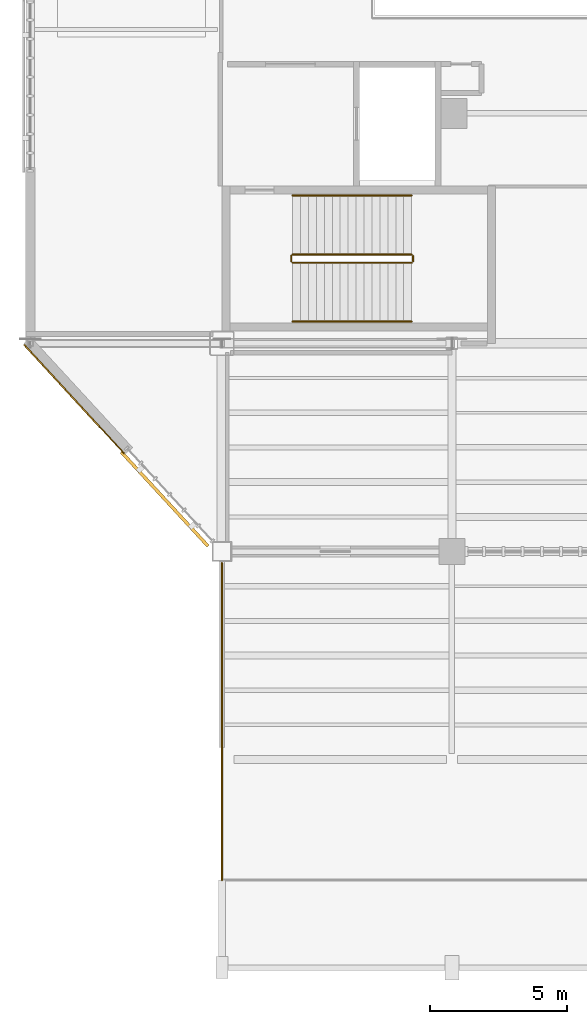
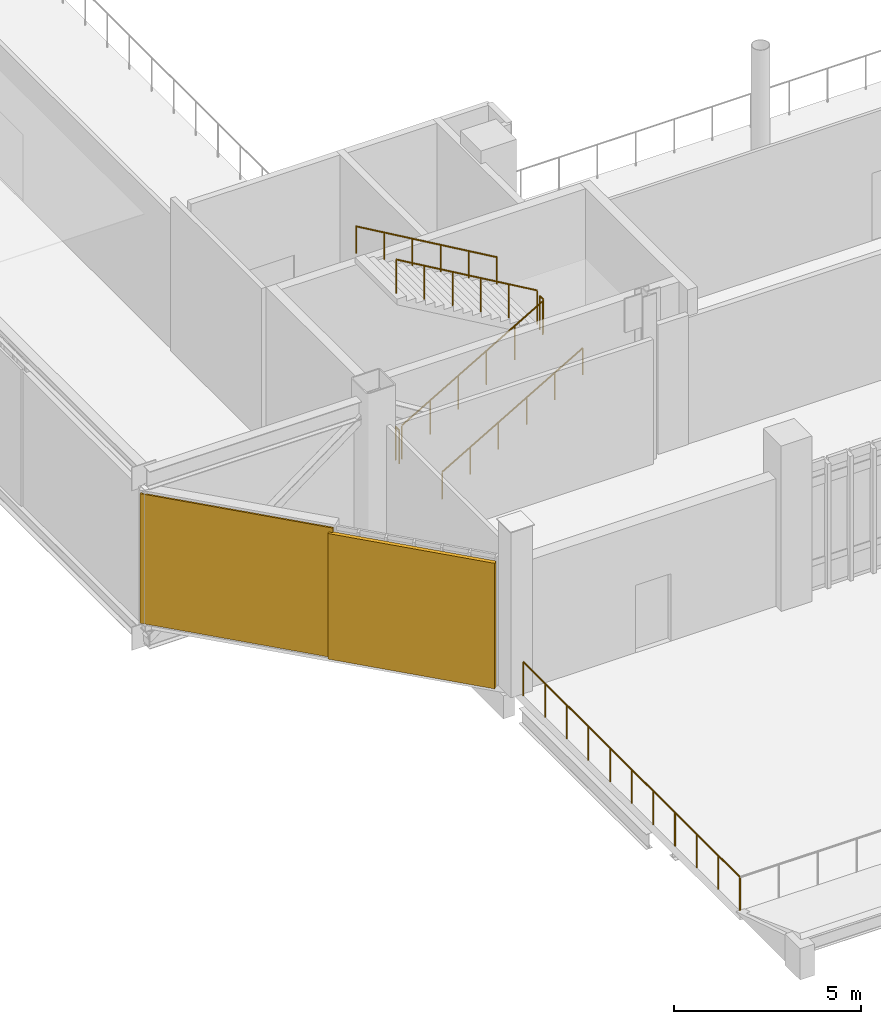
# One storey, part 117 of 127: 7 railings, 1 covering, 1 shading device.
"""IFC4 building model written with IfcOpenShell, lengths in metres."""

from ifc_helpers import new_model, si_unit, direction, frame, origin, origin_2d, place, context, subcontext, project, spatial, rectangle, circle, extrude, material, layer, layer_set, type_object, element, save


model = new_model("IFC4")

# Units and contexts
model_context = context("Model", 3, precision=1e-05, world=origin(), true_north=direction((0.0, 1.0)))
body_context = subcontext(model_context, "Body", "Model", "MODEL_VIEW")
ifc_project = project(units=[si_unit("LENGTHUNIT", "METRE"), si_unit("AREAUNIT", "SQUARE_METRE"), si_unit("VOLUMEUNIT", "CUBIC_METRE"), si_unit("PLANEANGLEUNIT", "RADIAN"), si_unit("MASSUNIT", "GRAM", prefix="KILO")], contexts=[model_context])

# Site, building, storey
site_placement = place(None, origin())
site = spatial("IfcSite", under=ifc_project, at=site_placement, CompositionType="ELEMENT")
building_placement = place(site_placement, origin())
building = spatial("IfcBuilding", under=site, at=building_placement, Name="Larkvane Passage Sports Hall", CompositionType="ELEMENT")
storey_placement = place(building_placement, frame((0.0, 0.0, 5.39990234375)))
storey = spatial("IfcBuildingStorey", under=building, at=storey_placement, Name="L01", CompositionType="ELEMENT", Elevation=5.39990234375)

# Covering
ifc_material_1 = material(Name="Perforated anodised aluminium 5052-H32", Category="aluminium")
ifc_layer_1 = layer(ifc_material_1, 0.050048828125)
ifc_layer_set_1 = layer_set([ifc_layer_1], Name="Perforated anodised aluminium 5052-H32")
covering_type = type_object("IfcCoveringType", Name="COV-MESH-VEIL", PredefinedType="CLADDING", material=ifc_layer_set_1)
covering_placement = place(storey_placement, frame((29.40478515625, 20.76611328125, 0.0751953125), z_axis=(0.0, 0.0, 1.0), x_axis=(-0.677475754753, 0.735545105158, 0.0)))
element("IfcCovering", 1, at=covering_placement, inside=storey, type_object=covering_type, Name="Perforated cladding cassette L01-064", PredefinedType="CLADDING", context=body_context, shape_type="SweptSolid", body=[
    extrude(rectangle(XDim=5.3974609375, YDim=0.050048828125, at=origin_2d()), origin(), (0.0, 0.0, 1.0), 4.22998046875),
])

# Railings
ifc_material_2 = material(Name="Steel S355JR", Category="steel")
railing_type_1 = type_object("IfcRailingType", Name="RL-GUARD-1120", PredefinedType="GUARDRAIL", material=ifc_material_2)
railing_1_placement = place(storey_placement, frame((37.3798828125, 25.75, 0.1689453125)))
element("IfcRailing", 2, at=railing_1_placement, inside=storey, type_object=railing_type_1, Name="L01 ST-01 stair guard 1", PredefinedType="GUARDRAIL", context=body_context, shape_type="SweptSolid", body=[
    extrude(circle(Radius=0.02392578125, at=origin_2d()), frame((0.001708984375, 0.0, 1.09716796875), z_axis=(0.864323800911, 0.0, 0.50293574856), x_axis=(0.0, 1.0, 0.0)), (0.0, 0.0, 1.0), 5.029052734375),
    extrude(circle(Radius=0.02099609375, at=origin_2d()), origin(), (0.0, 0.0, 1.0), 1.072021484375),
    extrude(circle(Radius=0.02099609375, at=origin_2d()), frame((0.8701171875, 0.0, 0.50634765625)), (0.0, 0.0, 1.0), 1.072021484375),
    extrude(circle(Radius=0.02099609375, at=origin_2d()), frame((1.739990234375, 0.0, 1.012451171875)), (0.0, 0.0, 1.0), 1.072021484375),
    extrude(circle(Radius=0.02099609375, at=origin_2d()), frame((2.610107421875, 0.0, 1.518798828125)), (0.0, 0.0, 1.0), 1.072021484375),
    extrude(circle(Radius=0.02099609375, at=origin_2d()), frame((3.47998046875, 0.0, 2.02490234375)), (0.0, 0.0, 1.0), 1.072021484375),
    extrude(circle(Radius=0.02099609375, at=origin_2d()), frame((4.35009765625, 0.0, 2.53125)), (0.0, 0.0, 1.0), 1.072021484375),
])
railing_2_placement = place(storey_placement, frame((41.780029296875, 25.800048828125, 2.7001953125)))
element("IfcRailing", 3, at=railing_2_placement, inside=storey, type_object=railing_type_1, Name="L01 ST-01 stair guard 2", PredefinedType="GUARDRAIL", context=body_context, shape_type="SweptSolid", body=[
    extrude(circle(Radius=0.02392578125, at=origin_2d()), frame((0.0, 0.001953125, 1.09619140625), z_axis=(0.0, 1.0, 0.0), x_axis=(-1.0, 0.0, 0.0)), (0.0, 0.0, 1.0), 0.196044921875),
    extrude(circle(Radius=0.02099609375, at=origin_2d()), origin(), (0.0, 0.0, 1.0), 1.072021484375),
    extrude(circle(Radius=0.02099609375, at=origin_2d()), frame((0.0, 0.199951171875, 0.0)), (0.0, 0.0, 1.0), 1.072021484375),
])
railing_3_placement = place(storey_placement, frame((41.72998046875, 26.050048828125, 2.868896484375)))
element("IfcRailing", 4, at=railing_3_placement, inside=storey, type_object=railing_type_1, Name="L01 ST-01 stair guard 3", PredefinedType="GUARDRAIL", context=body_context, shape_type="SweptSolid", body=[
    extrude(circle(Radius=0.02392578125, at=origin_2d()), frame((-0.001708984375, 0.0, 1.09716796875), z_axis=(-0.864323800911, 0.0, 0.50293574856), x_axis=(0.0, -1.0, 0.0)), (0.0, 0.0, 1.0), 5.029052734375),
    extrude(circle(Radius=0.02099609375, at=origin_2d()), origin(), (0.0, 0.0, 1.0), 1.072021484375),
    extrude(circle(Radius=0.02099609375, at=origin_2d()), frame((-0.8701171875, 0.0, 0.50634765625)), (0.0, 0.0, 1.0), 1.072021484375),
    extrude(circle(Radius=0.02099609375, at=origin_2d()), frame((-1.739990234375, 0.0, 1.012451171875)), (0.0, 0.0, 1.0), 1.072021484375),
    extrude(circle(Radius=0.02099609375, at=origin_2d()), frame((-2.610107421875, 0.0, 1.518798828125)), (0.0, 0.0, 1.0), 1.072021484375),
    extrude(circle(Radius=0.02099609375, at=origin_2d()), frame((-3.47998046875, 0.0, 2.02490234375)), (0.0, 0.0, 1.0), 1.072021484375),
    extrude(circle(Radius=0.02099609375, at=origin_2d()), frame((-4.35009765625, 0.0, 2.53125)), (0.0, 0.0, 1.0), 1.072021484375),
])
railing_4_placement = place(storey_placement, frame((37.330078125, 25.800048828125, 0.0)))
element("IfcRailing", 5, at=railing_4_placement, inside=storey, type_object=railing_type_1, Name="L01 ST-01 stair guard 4", PredefinedType="GUARDRAIL", context=body_context, shape_type="SweptSolid", body=[
    extrude(circle(Radius=0.02392578125, at=origin_2d()), frame((0.0, 0.001953125, 1.09619140625), z_axis=(0.0, 1.0, 0.0), x_axis=(-1.0, 0.0, 0.0)), (0.0, 0.0, 1.0), 0.196044921875),
    extrude(circle(Radius=0.02099609375, at=origin_2d()), origin(), (0.0, 0.0, 1.0), 1.072021484375),
    extrude(circle(Radius=0.02099609375, at=origin_2d()), frame((0.0, 0.199951171875, 0.0)), (0.0, 0.0, 1.0), 1.072021484375),
])
railing_5_placement = place(storey_placement, frame((34.800048828125, 14.780029296875, 0.0)))
element("IfcRailing", 6, at=railing_5_placement, inside=storey, type_object=railing_type_1, Name="Terrace perimeter guardrail L01-002", PredefinedType="GUARDRAIL", context=body_context, shape_type="SweptSolid", body=[
    extrude(circle(Radius=0.02392578125, at=origin_2d()), frame((0.0, -0.001953125, 1.09619140625), z_axis=(0.0, -1.0, 0.0), x_axis=(1.0, 0.0, 0.0)), (0.0, 0.0, 1.0), 11.576171875),
    extrude(circle(Radius=0.02099609375, at=origin_2d()), origin(), (0.0, 0.0, 1.0), 1.072021484375),
    extrude(circle(Radius=0.02099609375, at=origin_2d()), frame((0.0, -1.157958984375, 0.0)), (0.0, 0.0, 1.0), 1.072021484375),
    extrude(circle(Radius=0.02099609375, at=origin_2d()), frame((0.0, -2.31591796875, 0.0)), (0.0, 0.0, 1.0), 1.072021484375),
    extrude(circle(Radius=0.02099609375, at=origin_2d()), frame((0.0, -3.47412109375, 0.0)), (0.0, 0.0, 1.0), 1.072021484375),
    extrude(circle(Radius=0.02099609375, at=origin_2d()), frame((0.0, -4.632080078125, 0.0)), (0.0, 0.0, 1.0), 1.072021484375),
    extrude(circle(Radius=0.02099609375, at=origin_2d()), frame((0.0, -5.7900390625, 0.0)), (0.0, 0.0, 1.0), 1.072021484375),
    extrude(circle(Radius=0.02099609375, at=origin_2d()), frame((0.0, -6.947998046875, 0.0)), (0.0, 0.0, 1.0), 1.072021484375),
    extrude(circle(Radius=0.02099609375, at=origin_2d()), frame((0.0, -8.10595703125, 0.0)), (0.0, 0.0, 1.0), 1.072021484375),
    extrude(circle(Radius=0.02099609375, at=origin_2d()), frame((0.0, -9.26416015625, 0.0)), (0.0, 0.0, 1.0), 1.072021484375),
    extrude(circle(Radius=0.02099609375, at=origin_2d()), frame((0.0, -10.422119140625, 0.0)), (0.0, 0.0, 1.0), 1.072021484375),
    extrude(circle(Radius=0.02099609375, at=origin_2d()), frame((0.0, -11.580078125, 0.0)), (0.0, 0.0, 1.0), 1.072021484375),
])
ifc_material_3 = material(Name="Stainless steel S355JR", Category="steel")
railing_type_2 = type_object("IfcRailingType", Name="RL-HAND-920", PredefinedType="HANDRAIL", material=ifc_material_3)
railing_6_placement = place(storey_placement, frame((37.3798828125, 23.60009765625, 0.1689453125)))
element("IfcRailing", 7, at=railing_6_placement, inside=storey, type_object=railing_type_2, Name="L01 ST-01 stair handrail 1", PredefinedType="HANDRAIL", context=body_context, shape_type="SweptSolid", body=[
    extrude(circle(Radius=0.02392578125, at=origin_2d()), frame((0.001708984375, 0.0, 0.876953125), z_axis=(0.864323800911, 0.0, 0.50293574856), x_axis=(0.0, 1.0, 0.0)), (0.0, 0.0, 1.0), 5.029052734375),
    extrude(circle(Radius=0.02099609375, at=origin_2d()), origin(), (0.0, 0.0, 1.0), 0.851806640625),
    extrude(circle(Radius=0.02099609375, at=origin_2d()), frame((0.8701171875, 0.0, 0.50634765625)), (0.0, 0.0, 1.0), 0.851806640625),
    extrude(circle(Radius=0.02099609375, at=origin_2d()), frame((1.739990234375, 0.0, 1.012451171875)), (0.0, 0.0, 1.0), 0.851806640625),
    extrude(circle(Radius=0.02099609375, at=origin_2d()), frame((2.610107421875, 0.0, 1.518798828125)), (0.0, 0.0, 1.0), 0.851806640625),
    extrude(circle(Radius=0.02099609375, at=origin_2d()), frame((3.47998046875, 0.0, 2.02490234375)), (0.0, 0.0, 1.0), 0.851806640625),
    extrude(circle(Radius=0.02099609375, at=origin_2d()), frame((4.35009765625, 0.0, 2.53125)), (0.0, 0.0, 1.0), 0.851806640625),
])
railing_7_placement = place(storey_placement, frame((41.72998046875, 28.199951171875, 2.868896484375)))
element("IfcRailing", 8, at=railing_7_placement, inside=storey, type_object=railing_type_2, Name="L01 ST-01 stair handrail 2", PredefinedType="HANDRAIL", context=body_context, shape_type="SweptSolid", body=[
    extrude(circle(Radius=0.02392578125, at=origin_2d()), frame((-0.001708984375, 0.0, 0.876953125), z_axis=(-0.864323800911, 0.0, 0.50293574856), x_axis=(0.0, -1.0, 0.0)), (0.0, 0.0, 1.0), 5.029052734375),
    extrude(circle(Radius=0.02099609375, at=origin_2d()), origin(), (0.0, 0.0, 1.0), 0.851806640625),
    extrude(circle(Radius=0.02099609375, at=origin_2d()), frame((-0.8701171875, 0.0, 0.50634765625)), (0.0, 0.0, 1.0), 0.851806640625),
    extrude(circle(Radius=0.02099609375, at=origin_2d()), frame((-1.739990234375, 0.0, 1.012451171875)), (0.0, 0.0, 1.0), 0.851806640625),
    extrude(circle(Radius=0.02099609375, at=origin_2d()), frame((-2.610107421875, 0.0, 1.518798828125)), (0.0, 0.0, 1.0), 0.851806640625),
    extrude(circle(Radius=0.02099609375, at=origin_2d()), frame((-3.47998046875, 0.0, 2.02490234375)), (0.0, 0.0, 1.0), 0.851806640625),
    extrude(circle(Radius=0.02099609375, at=origin_2d()), frame((-4.35009765625, 0.0, 2.53125)), (0.0, 0.0, 1.0), 0.851806640625),
])

# Shading device
ifc_material_4 = material(Name="Extruded aluminium 6063-T6", Category="aluminium")
ifc_layer_2 = layer(ifc_material_4, 0.1201171875)
ifc_layer_set_2 = layer_set([ifc_layer_2], Name="Extruded aluminium 6063-T6")
shading_device_type = type_object("IfcShadingDeviceType", Name="SHD-LOUVRE-STORM", PredefinedType="JALOUSIE", material=ifc_layer_set_2)
shading_device_placement = place(storey_placement, frame((32.707275390625, 17.117919921875, 0.06005859375), z_axis=(0.0, 0.0, 1.0), x_axis=(-0.677475754753, 0.735545105158, 0.0)))
element("IfcShadingDevice", 9, at=shading_device_placement, inside=storey, type_object=shading_device_type, Name="Solar veil screen L01-018", PredefinedType="JALOUSIE", context=body_context, shape_type="SweptSolid", body=[
    extrude(rectangle(XDim=4.67578125, YDim=0.1201171875, at=origin_2d()), origin(), (0.0, 0.0, 1.0), 4.097900390625),
])

save(model, "model.ifc")
